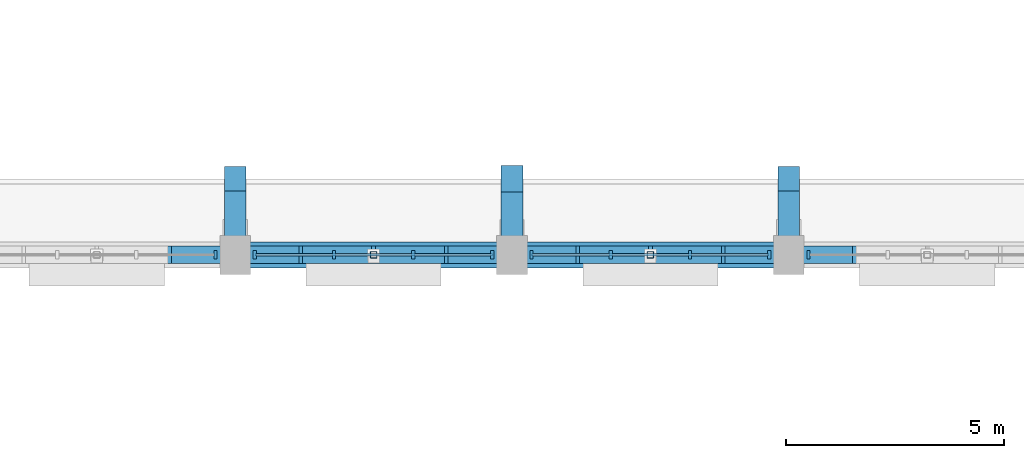
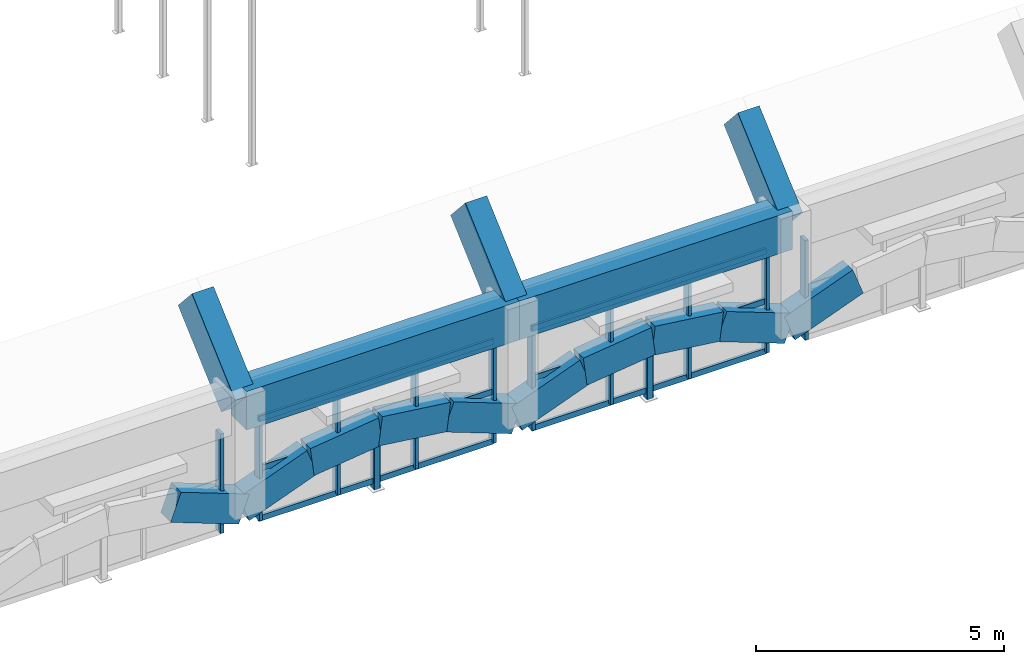
# One storey, part 25 of 77: 31 members, 2 beams, 4 elements without a shape of their own.
"""IFC4 building model written with IfcOpenShell, lengths in metres."""

from ifc_helpers import new_model, si_unit, direction, frame, origin, origin_2d, place, context, subcontext, project, spatial, rectangle, hollow_rectangle, extrude, material, layer, layer_set, material_profile, profile_set, type_object, element, aggregate, save


model = new_model("IFC4")

# Units and contexts
model_context = context("Model", 3, precision=1e-05, world=origin(), true_north=direction((0.0, 1.0)))
body_context = subcontext(model_context, "Body", "Model", "MODEL_VIEW")
ifc_project = project(units=[si_unit("LENGTHUNIT", "METRE"), si_unit("AREAUNIT", "SQUARE_METRE"), si_unit("VOLUMEUNIT", "CUBIC_METRE"), si_unit("PLANEANGLEUNIT", "RADIAN"), si_unit("MASSUNIT", "GRAM", prefix="KILO")], contexts=[model_context])

# Site, building, storey
site_placement = place(None, origin())
site = spatial("IfcSite", under=ifc_project, at=site_placement, CompositionType="ELEMENT")
building_placement = place(site_placement, origin())
building = spatial("IfcBuilding", under=site, at=building_placement, Name="Trellovar Central Fire Station", CompositionType="ELEMENT")
storey_placement = place(building_placement, frame((0.0, 0.0, 5.85009765625)))
storey = spatial("IfcBuildingStorey", under=building, at=storey_placement, Name="L02", CompositionType="ELEMENT", Elevation=5.85009765625)

# Beams
ifc_material_1 = material(Name="Concrete C40/50", Category="concrete")
ifc_material_profile_1 = material_profile(ifc_material_1, rectangle(XDim=0.60009765625, YDim=0.949951171875, at=origin_2d()), Name="RC600X950")
ifc_profile_set_1 = profile_set([ifc_material_profile_1], Name="Concrete C40/50")
beam_type = type_object("IfcBeamType", Name="BM-RG2", PredefinedType="BEAM", material=ifc_profile_set_1)
beam_1_placement = place(storey_placement, frame((66.75, 14.0, 2.474853515625), z_axis=(1.0, 0.0, 0.0), x_axis=(0.0, 1.0, 0.0)))
element("IfcBeam", 1, at=beam_1_placement, inside=storey, type_object=beam_type, Name="V1 south vault springing ring beam", PredefinedType="BEAM", context=body_context, shape_type="SweptSolid", body=[
    extrude(rectangle(XDim=0.60009765625, YDim=0.949951171875, at=origin_2d()), origin(), (0.0, 0.0, 1.0), 6.35009765625),
])
beam_2_placement = place(storey_placement, frame((73.10009765625, 14.0, 2.474853515625), z_axis=(1.0, 0.0, 0.0), x_axis=(0.0, 1.0, 0.0)))
element("IfcBeam", 2, at=beam_2_placement, inside=storey, type_object=beam_type, Name="V1 south vault springing ring beam", PredefinedType="BEAM", context=body_context, shape_type="SweptSolid", body=[
    extrude(rectangle(XDim=0.60009765625, YDim=0.949951171875, at=origin_2d()), origin(), (0.0, 0.0, 1.0), 6.349853515625),
])

# Curtain wall, member
ifc_material_2 = material(Name="Thermally broken bronze anodized aluminum", Category="aluminium")
ifc_layer = layer(ifc_material_2, 0.159912109375)
ifc_layer_set = layer_set([ifc_layer], Name="Thermally broken bronze anodized aluminum")
curtain_wall_type = type_object("IfcCurtainWallType", Name="CW-05", PredefinedType="NOTDEFINED", material=ifc_layer_set)
curtain_wall_1_placement = place(storey_placement, origin())
curtain_wall_1 = element("IfcCurtainWall", 3, at=curtain_wall_1_placement, inside=storey, type_object=curtain_wall_type, Name="V1 south upper clerestory 5", PredefinedType="NOTDEFINED")
ifc_material_3 = material(Name="Thermally broken bronze anodized aluminum", Category="aluminium")
ifc_material_profile_2 = material_profile(ifc_material_3, rectangle(XDim=0.074951171875, YDim=0.199951171875, at=origin_2d()), Name="ALU75X200")
ifc_profile_set_2 = profile_set([ifc_material_profile_2], Name="Thermally broken bronze anodized aluminum")
member_type_1 = type_object("IfcMemberType", Name="CWM-1", PredefinedType="MULLION", material=ifc_profile_set_2)
member_1_placement = place(storey_placement, frame((66.300048828125, 14.0, -0.5), z_axis=(0.0, 0.0, 1.0), x_axis=(1.0, 0.0, 0.0)))
member_1 = element("IfcMember", 4, at=member_1_placement, type_object=member_type_1, Name="CW3-L02-0005 mullion 4", PredefinedType="MULLION", context=body_context, shape_type="SweptSolid", body=[
    extrude(rectangle(XDim=0.074951171875, YDim=0.199951171875, at=origin_2d()), origin(), (0.0, 0.0, 1.0), 2.449951171875),
])
aggregate(curtain_wall_1, [member_1])

# Curtain wall, members
curtain_wall_2_placement = place(storey_placement, origin())
curtain_wall_2 = element("IfcCurtainWall", 5, at=curtain_wall_2_placement, inside=storey, type_object=curtain_wall_type, Name="V1 south upper clerestory 6", PredefinedType="NOTDEFINED")
member_2_placement = place(storey_placement, frame((67.199951171875, 14.0, -0.5), z_axis=(0.0, 0.0, 1.0), x_axis=(1.0, 0.0, 0.0)))
member_2 = element("IfcMember", 6, at=member_2_placement, type_object=member_type_1, Name="CW3-L02-0006 mullion 1", PredefinedType="MULLION", context=body_context, shape_type="SweptSolid", body=[
    extrude(rectangle(XDim=0.074951171875, YDim=0.199951171875, at=origin_2d()), origin(), (0.0, 0.0, 1.0), 2.449951171875),
])
member_3_placement = place(storey_placement, frame((69.0166015625, 14.0, -0.5), z_axis=(0.0, 0.0, 1.0), x_axis=(1.0, 0.0, 0.0)))
member_3 = element("IfcMember", 7, at=member_3_placement, type_object=member_type_1, Name="CW3-L02-0006 mullion 2", PredefinedType="MULLION", context=body_context, shape_type="SweptSolid", body=[
    extrude(rectangle(XDim=0.074951171875, YDim=0.199951171875, at=origin_2d()), origin(), (0.0, 0.0, 1.0), 2.449951171875),
])
member_4_placement = place(storey_placement, frame((70.833251953125, 14.0, -0.5), z_axis=(0.0, 0.0, 1.0), x_axis=(1.0, 0.0, 0.0)))
member_4 = element("IfcMember", 8, at=member_4_placement, type_object=member_type_1, Name="CW3-L02-0006 mullion 3", PredefinedType="MULLION", context=body_context, shape_type="SweptSolid", body=[
    extrude(rectangle(XDim=0.074951171875, YDim=0.199951171875, at=origin_2d()), origin(), (0.0, 0.0, 1.0), 2.449951171875),
])
member_5_placement = place(storey_placement, frame((72.64990234375, 14.0, -0.5), z_axis=(0.0, 0.0, 1.0), x_axis=(1.0, 0.0, 0.0)))
member_5 = element("IfcMember", 9, at=member_5_placement, type_object=member_type_1, Name="CW3-L02-0006 mullion 4", PredefinedType="MULLION", context=body_context, shape_type="SweptSolid", body=[
    extrude(rectangle(XDim=0.074951171875, YDim=0.199951171875, at=origin_2d()), origin(), (0.0, 0.0, 1.0), 2.449951171875),
])

curtain_wall_3_placement = place(storey_placement, origin())
curtain_wall_3 = element("IfcCurtainWall", 10, at=curtain_wall_3_placement, inside=storey, type_object=curtain_wall_type, Name="V1 south upper clerestory 7", PredefinedType="NOTDEFINED")
member_6_placement = place(storey_placement, frame((73.550048828125, 14.0, -0.5), z_axis=(0.0, 0.0, 1.0), x_axis=(1.0, 0.0, 0.0)))
member_6 = element("IfcMember", 11, at=member_6_placement, type_object=member_type_1, Name="CW3-L02-0007 mullion 1", PredefinedType="MULLION", context=body_context, shape_type="SweptSolid", body=[
    extrude(rectangle(XDim=0.074951171875, YDim=0.199951171875, at=origin_2d()), origin(), (0.0, 0.0, 1.0), 2.449951171875),
])
member_7_placement = place(storey_placement, frame((75.36669921875, 14.0, -0.5), z_axis=(0.0, 0.0, 1.0), x_axis=(1.0, 0.0, 0.0)))
member_7 = element("IfcMember", 12, at=member_7_placement, type_object=member_type_1, Name="CW3-L02-0007 mullion 2", PredefinedType="MULLION", context=body_context, shape_type="SweptSolid", body=[
    extrude(rectangle(XDim=0.074951171875, YDim=0.199951171875, at=origin_2d()), origin(), (0.0, 0.0, 1.0), 2.449951171875),
])
member_8_placement = place(storey_placement, frame((77.183349609375, 14.0, -0.5), z_axis=(0.0, 0.0, 1.0), x_axis=(1.0, 0.0, 0.0)))
member_8 = element("IfcMember", 13, at=member_8_placement, type_object=member_type_1, Name="CW3-L02-0007 mullion 3", PredefinedType="MULLION", context=body_context, shape_type="SweptSolid", body=[
    extrude(rectangle(XDim=0.074951171875, YDim=0.199951171875, at=origin_2d()), origin(), (0.0, 0.0, 1.0), 2.449951171875),
])
member_9_placement = place(storey_placement, frame((79.0, 14.0, -0.5), z_axis=(0.0, 0.0, 1.0), x_axis=(1.0, 0.0, 0.0)))
member_9 = element("IfcMember", 14, at=member_9_placement, type_object=member_type_1, Name="CW3-L02-0007 mullion 4", PredefinedType="MULLION", context=body_context, shape_type="SweptSolid", body=[
    extrude(rectangle(XDim=0.074951171875, YDim=0.199951171875, at=origin_2d()), origin(), (0.0, 0.0, 1.0), 2.449951171875),
])

# Curtain wall, member
curtain_wall_4_placement = place(storey_placement, origin())
curtain_wall_4 = element("IfcCurtainWall", 15, at=curtain_wall_4_placement, inside=storey, type_object=curtain_wall_type, Name="V1 south upper clerestory 8", PredefinedType="NOTDEFINED")
member_10_placement = place(storey_placement, frame((79.89990234375, 14.0, -0.5), z_axis=(0.0, 0.0, 1.0), x_axis=(1.0, 0.0, 0.0)))
member_10 = element("IfcMember", 16, at=member_10_placement, type_object=member_type_1, Name="CW3-L02-0008 mullion 1", PredefinedType="MULLION", context=body_context, shape_type="SweptSolid", body=[
    extrude(rectangle(XDim=0.074951171875, YDim=0.199951171875, at=origin_2d()), origin(), (0.0, 0.0, 1.0), 2.449951171875),
])
aggregate(curtain_wall_4, [member_10])

# Member
ifc_material_4 = material(Name="Thermally broken bronze anodized aluminum", Category="aluminium")
ifc_material_profile_3 = material_profile(ifc_material_4, rectangle(XDim=0.06005859375, YDim=0.139892578125, at=origin_2d()), Name="ALU60X140")
ifc_profile_set_3 = profile_set([ifc_material_profile_3], Name="Thermally broken bronze anodized aluminum")
member_type_2 = type_object("IfcMemberType", Name="CWT-1", PredefinedType="USERDEFINED", material=ifc_profile_set_3)
member_11_placement = place(storey_placement, frame((67.199951171875, 14.0, -0.5), z_axis=(1.0, 0.0, 0.0), x_axis=(0.0, 1.0, 0.0)))
member_11 = element("IfcMember", 17, at=member_11_placement, type_object=member_type_2, Name="CW3-L02-0006 transom 1", ObjectType="TRANSOM", PredefinedType="USERDEFINED", context=body_context, shape_type="SweptSolid", body=[
    extrude(rectangle(XDim=0.06005859375, YDim=0.139892578125, at=origin_2d()), origin(), (0.0, 0.0, 1.0), 5.449951171875),
])

member_12_placement = place(storey_placement, frame((67.199951171875, 14.0, 0.724853515625), z_axis=(1.0, 0.0, 0.0), x_axis=(0.0, 1.0, 0.0)))
member_12 = element("IfcMember", 18, at=member_12_placement, type_object=member_type_2, Name="CW3-L02-0006 transom 2", ObjectType="TRANSOM", PredefinedType="USERDEFINED", context=body_context, shape_type="SweptSolid", body=[
    extrude(rectangle(XDim=0.06005859375, YDim=0.139892578125, at=origin_2d()), origin(), (0.0, 0.0, 1.0), 5.449951171875),
])

member_13_placement = place(storey_placement, frame((67.199951171875, 14.0, 1.949951171875), z_axis=(1.0, 0.0, 0.0), x_axis=(0.0, 1.0, 0.0)))
member_13 = element("IfcMember", 19, at=member_13_placement, type_object=member_type_2, Name="CW3-L02-0006 transom 3", ObjectType="TRANSOM", PredefinedType="USERDEFINED", context=body_context, shape_type="SweptSolid", body=[
    extrude(rectangle(XDim=0.06005859375, YDim=0.139892578125, at=origin_2d()), origin(), (0.0, 0.0, 1.0), 5.449951171875),
])

aggregate(curtain_wall_2, [member_2, member_3, member_4, member_5, member_11, member_12, member_13])

member_14_placement = place(storey_placement, frame((73.550048828125, 14.0, -0.5), z_axis=(1.0, 0.0, 0.0), x_axis=(0.0, 1.0, 0.0)))
member_14 = element("IfcMember", 20, at=member_14_placement, type_object=member_type_2, Name="CW3-L02-0007 transom 1", ObjectType="TRANSOM", PredefinedType="USERDEFINED", context=body_context, shape_type="SweptSolid", body=[
    extrude(rectangle(XDim=0.06005859375, YDim=0.139892578125, at=origin_2d()), origin(), (0.0, 0.0, 1.0), 5.449951171875),
])

member_15_placement = place(storey_placement, frame((73.550048828125, 14.0, 0.724853515625), z_axis=(1.0, 0.0, 0.0), x_axis=(0.0, 1.0, 0.0)))
member_15 = element("IfcMember", 21, at=member_15_placement, type_object=member_type_2, Name="CW3-L02-0007 transom 2", ObjectType="TRANSOM", PredefinedType="USERDEFINED", context=body_context, shape_type="SweptSolid", body=[
    extrude(rectangle(XDim=0.06005859375, YDim=0.139892578125, at=origin_2d()), origin(), (0.0, 0.0, 1.0), 5.449951171875),
])

member_16_placement = place(storey_placement, frame((73.550048828125, 14.0, 1.949951171875), z_axis=(1.0, 0.0, 0.0), x_axis=(0.0, 1.0, 0.0)))
member_16 = element("IfcMember", 22, at=member_16_placement, type_object=member_type_2, Name="CW3-L02-0007 transom 3", ObjectType="TRANSOM", PredefinedType="USERDEFINED", context=body_context, shape_type="SweptSolid", body=[
    extrude(rectangle(XDim=0.06005859375, YDim=0.139892578125, at=origin_2d()), origin(), (0.0, 0.0, 1.0), 5.449951171875),
])

aggregate(curtain_wall_3, [member_6, member_7, member_8, member_9, member_14, member_15, member_16])

# Members
ifc_material_5 = material(Name="Concrete C40/50", Category="concrete")
ifc_material_profile_4 = material_profile(ifc_material_5, rectangle(XDim=0.5, YDim=0.89990234375, at=origin_2d()), Name="RC500X900")
ifc_profile_set_4 = profile_set([ifc_material_profile_4], Name="Concrete C40/50")
member_type_3 = type_object("IfcMemberType", Name="MEM-AR1", PredefinedType="CHORD", material=ifc_profile_set_4)
member_17_placement = place(storey_placement, frame((73.10009765625, 14.0, 2.5), z_axis=(0.0, 0.744410696022, 0.667722034718), x_axis=(-1.0, 0.0, 0.0)))
element("IfcMember", 23, at=member_17_placement, inside=storey, type_object=member_type_3, Name="Parabolic arch rib AR-07 chord 01", PredefinedType="CHORD", context=body_context, shape_type="SweptSolid", body=[
    extrude(rectangle(XDim=0.5, YDim=0.89990234375, at=origin_2d()), origin(), (0.0, 0.0, 1.0), 2.34619140625),
])
ifc_material_6 = material(Name="Concrete C40/50", Category="concrete")
ifc_material_profile_5 = material_profile(ifc_material_6, rectangle(XDim=0.5, YDim=0.85009765625, at=origin_2d()), Name="RC500X850")
ifc_profile_set_5 = profile_set([ifc_material_profile_5], Name="Concrete C40/50")
member_type_4 = type_object("IfcMemberType", Name="MEM-AR2", PredefinedType="CHORD", material=ifc_profile_set_5)
for number, where, z_axis, x_axis, name in (
    (24, (66.75, 14.0, 2.5), (0.0, 0.744410696022, 0.667722034718), (-1.0, 0.0, 0.0), "Parabolic arch rib AR-06 chord 01"),
    (25, (79.449951171875, 14.0, 2.5), (0.0, 0.744410696022, 0.667722034718), (-1.0, 0.0, 0.0), "Parabolic arch rib AR-08 chord 01"),
):
    element("IfcMember", number, at=place(storey_placement, frame(where, z_axis=z_axis, x_axis=x_axis)), inside=storey, type_object=member_type_4, Name=name, PredefinedType="CHORD", context=body_context, shape_type="SweptSolid", body=[
        extrude(rectangle(XDim=0.5, YDim=0.85009765625, at=origin_2d()), origin(), (0.0, 0.0, 1.0), 2.34619140625),
    ])
ifc_material_7 = material(Name="Concrete C40/50", Category="concrete")
ifc_material_profile_6 = material_profile(ifc_material_7, rectangle(XDim=0.39990234375, YDim=0.699951171875, at=origin_2d()), Name="RC400X700")
ifc_profile_set_6 = profile_set([ifc_material_profile_6], Name="Concrete C40/50")
member_type_5 = type_object("IfcMemberType", Name="MEM-LR1", PredefinedType="CHORD", material=ifc_profile_set_6)
for number, where, z_axis, x_axis, name in (
    (26, (65.16259765625, 14.0, 0.599853515625), (0.935439324213, 0.0, -0.35348729923), (0.0, 1.0, 0.0), "V1 south bay 5 parabolic portal arch seg 4"),
    (27, (66.75, 14.0, 0.0), (0.935439324213, 0.0, 0.35348729923), (0.0, 1.0, 0.0), "V1 south bay 6 parabolic portal arch seg 1"),
):
    element("IfcMember", number, at=place(storey_placement, frame(where, z_axis=z_axis, x_axis=x_axis)), inside=storey, type_object=member_type_5, Name=name, PredefinedType="CHORD", context=body_context, shape_type="SweptSolid", body=[
        extrude(rectangle(XDim=0.39990234375, YDim=0.699951171875, at=origin_2d()), origin(), (0.0, 0.0, 1.0), 1.697021484375),
    ])
member_18_placement = place(storey_placement, frame((68.33740234375, 14.0, 0.599853515625), z_axis=(0.992162435838, 0.0, 0.124954795472), x_axis=(0.0, 1.0, 0.0)))
element("IfcMember", 28, at=member_18_placement, inside=storey, type_object=member_type_5, Name="V1 south bay 6 parabolic portal arch seg 2", PredefinedType="CHORD", context=body_context, shape_type="SweptSolid", body=[
    extrude(rectangle(XDim=0.39990234375, YDim=0.699951171875, at=origin_2d()), origin(), (0.0, 0.0, 1.0), 1.60009765625),
])
member_19_placement = place(storey_placement, frame((69.925048828125, 14.0, 0.7998046875), z_axis=(0.992160053116, 0.0, -0.124973713242), x_axis=(0.0, 1.0, 0.0)))
element("IfcMember", 29, at=member_19_placement, inside=storey, type_object=member_type_5, Name="V1 south bay 6 parabolic portal arch seg 3", PredefinedType="CHORD", context=body_context, shape_type="SweptSolid", body=[
    extrude(rectangle(XDim=0.39990234375, YDim=0.699951171875, at=origin_2d()), origin(), (0.0, 0.0, 1.0), 1.599853515625),
])
member_20_placement = place(storey_placement, frame((71.512451171875, 14.0, 0.599853515625), z_axis=(0.935457297546, 0.0, -0.353439732442), x_axis=(0.0, 1.0, 0.0)))
element("IfcMember", 30, at=member_20_placement, inside=storey, type_object=member_type_5, Name="V1 south bay 6 parabolic portal arch seg 4", PredefinedType="CHORD", context=body_context, shape_type="SweptSolid", body=[
    extrude(rectangle(XDim=0.39990234375, YDim=0.699951171875, at=origin_2d()), origin(), (0.0, 0.0, 1.0), 1.697265625),
])
member_21_placement = place(storey_placement, frame((73.10009765625, 14.0, 0.0), z_axis=(0.935439324213, 0.0, 0.35348729923), x_axis=(0.0, 1.0, 0.0)))
element("IfcMember", 31, at=member_21_placement, inside=storey, type_object=member_type_5, Name="V1 south bay 7 parabolic portal arch seg 1", PredefinedType="CHORD", context=body_context, shape_type="SweptSolid", body=[
    extrude(rectangle(XDim=0.39990234375, YDim=0.699951171875, at=origin_2d()), origin(), (0.0, 0.0, 1.0), 1.697021484375),
])
member_22_placement = place(storey_placement, frame((74.6875, 14.0, 0.599853515625), z_axis=(0.992160053116, 0.0, 0.124973713242), x_axis=(0.0, 1.0, 0.0)))
element("IfcMember", 32, at=member_22_placement, inside=storey, type_object=member_type_5, Name="V1 south bay 7 parabolic portal arch seg 2", PredefinedType="CHORD", context=body_context, shape_type="SweptSolid", body=[
    extrude(rectangle(XDim=0.39990234375, YDim=0.699951171875, at=origin_2d()), origin(), (0.0, 0.0, 1.0), 1.599853515625),
])
member_23_placement = place(storey_placement, frame((76.27490234375, 14.0, 0.7998046875), z_axis=(0.992162435838, 0.0, -0.124954795472), x_axis=(0.0, 1.0, 0.0)))
element("IfcMember", 33, at=member_23_placement, inside=storey, type_object=member_type_5, Name="V1 south bay 7 parabolic portal arch seg 3", PredefinedType="CHORD", context=body_context, shape_type="SweptSolid", body=[
    extrude(rectangle(XDim=0.39990234375, YDim=0.699951171875, at=origin_2d()), origin(), (0.0, 0.0, 1.0), 1.60009765625),
])
member_24_placement = place(storey_placement, frame((77.862548828125, 14.0, 0.599853515625), z_axis=(0.935439324213, 0.0, -0.35348729923), x_axis=(0.0, 1.0, 0.0)))
element("IfcMember", 34, at=member_24_placement, inside=storey, type_object=member_type_5, Name="V1 south bay 7 parabolic portal arch seg 4", PredefinedType="CHORD", context=body_context, shape_type="SweptSolid", body=[
    extrude(rectangle(XDim=0.39990234375, YDim=0.699951171875, at=origin_2d()), origin(), (0.0, 0.0, 1.0), 1.697021484375),
])
member_25_placement = place(storey_placement, frame((79.449951171875, 14.0, 0.0), z_axis=(0.935457297546, 0.0, 0.353439732442), x_axis=(0.0, 1.0, 0.0)))
element("IfcMember", 35, at=member_25_placement, inside=storey, type_object=member_type_5, Name="V1 south bay 8 parabolic portal arch seg 1", PredefinedType="CHORD", context=body_context, shape_type="SweptSolid", body=[
    extrude(rectangle(XDim=0.39990234375, YDim=0.699951171875, at=origin_2d()), origin(), (0.0, 0.0, 1.0), 1.697265625),
])
ifc_material_8 = material(Name="Steel ASTM A500 Grade C", Category="steel")
ifc_material_profile_7 = material_profile(ifc_material_8, hollow_rectangle(XDim=0.15234375, YDim=0.15234375, WallThickness=0.0087890625, InnerFilletRadius=0.0087890625, OuterFilletRadius=0.017822265625, at=origin_2d()), Name="HSS6X6X3/8")
ifc_profile_set_7 = profile_set([ifc_material_profile_7], Name="Steel ASTM A500 Grade C")
member_type_6 = type_object("IfcMemberType", Name="MEM-ST1", PredefinedType="STRUT", material=ifc_profile_set_7)
for number, where, z_axis, x_axis, name in (
    (36, (69.925048828125, 14.0, -0.7001953125), (0.0, 0.0, 1.0), (1.0, 0.0, 0.0), "V1 south bay 6 parabolic portal arch keystone post"),
    (37, (76.27490234375, 14.0, -0.7001953125), (0.0, 0.0, 1.0), (1.0, 0.0, 0.0), "V1 south bay 7 parabolic portal arch keystone post"),
):
    element("IfcMember", number, at=place(storey_placement, frame(where, z_axis=z_axis, x_axis=x_axis)), inside=storey, type_object=member_type_6, Name=name, PredefinedType="STRUT", context=body_context, shape_type="SweptSolid", body=[
        extrude(hollow_rectangle(XDim=0.15234375, YDim=0.15234375, WallThickness=0.0087890625, InnerFilletRadius=0.0087890625, OuterFilletRadius=0.017822265625, at=origin_2d()), origin(), (0.0, 0.0, 1.0), 1.5),
    ])

save(model, "model.ifc")
